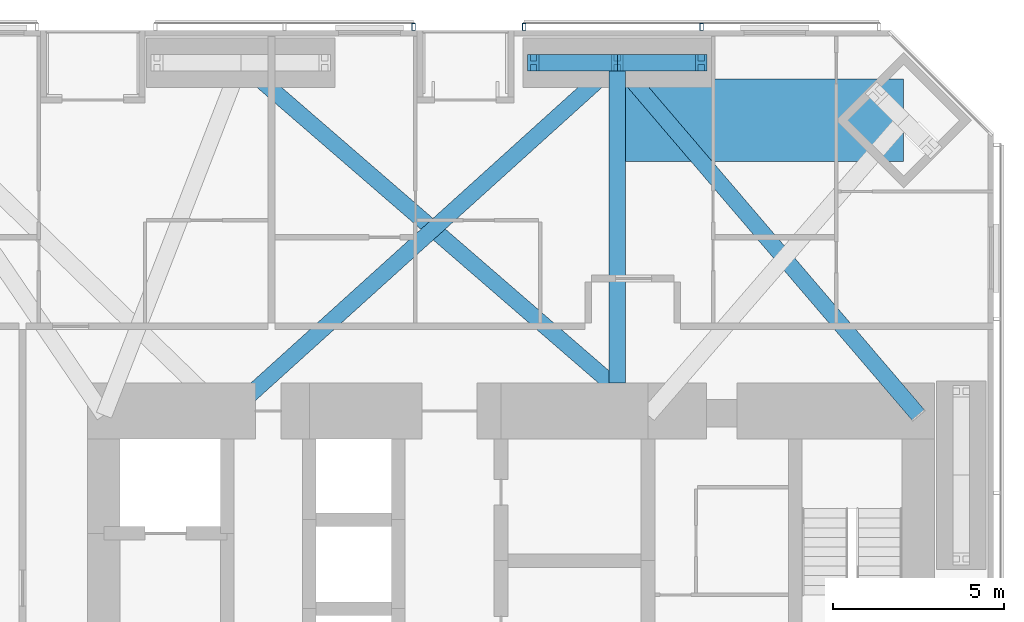
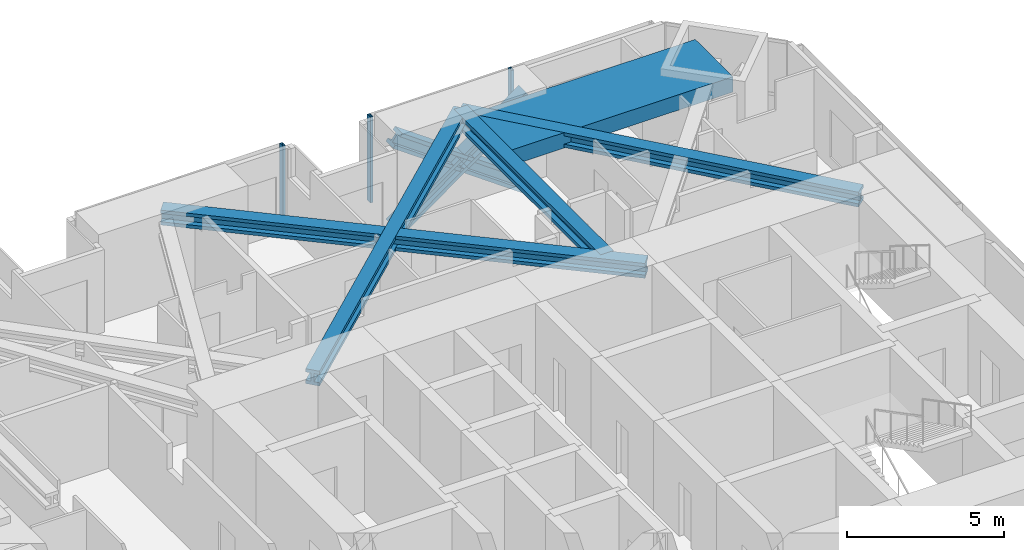
# One storey, part 12 of 22: 10 members, 2 beams, 2 elements without a shape of their own.
"""IFC4 building model written with IfcOpenShell, lengths in metres."""

from ifc_helpers import new_model, si_unit, direction, frame, origin, origin_2d, place, context, subcontext, project, spatial, rectangle, hollow_rectangle, i_section, extrude, material, material_profile, profile_set, type_object, element, aggregate, save


model = new_model("IFC4")

# Units and contexts
model_context = context("Model", 3, precision=1e-05, world=origin(), true_north=direction((0.0, 1.0)))
body_context = subcontext(model_context, "Body", "Model", "MODEL_VIEW")
ifc_project = project(units=[si_unit("LENGTHUNIT", "METRE"), si_unit("AREAUNIT", "SQUARE_METRE"), si_unit("VOLUMEUNIT", "CUBIC_METRE"), si_unit("PLANEANGLEUNIT", "RADIAN"), si_unit("MASSUNIT", "GRAM", prefix="KILO")], contexts=[model_context])

# Site, building, storey
site_placement = place(None, origin())
site = spatial("IfcSite", under=ifc_project, at=site_placement, CompositionType="ELEMENT")
building_placement = place(site_placement, origin())
building = spatial("IfcBuilding", under=site, at=building_placement, Name="Jalousie Tower", CompositionType="ELEMENT")
storey_placement = place(building_placement, frame((0.0, 0.0, 71.25)))
storey = spatial("IfcBuildingStorey", under=building, at=storey_placement, Name="L19", CompositionType="ELEMENT", Elevation=71.25)

# Members
ifc_material_1 = material(Name="Steel ASTM A992 Grade 50", Category="steel")
ifc_material_profile_1 = material_profile(ifc_material_1, i_section(OverallWidth=0.472412109375, OverallDepth=0.5791015625, WebThickness=0.094970703125, FlangeThickness=0.1298828125, at=origin_2d()), Name="W14X808")
ifc_profile_set_1 = profile_set([ifc_material_profile_1], Name="Steel ASTM A992 Grade 50")
member_type_1 = type_object("IfcMemberType", Name="KINK FLOOR TRUSS DIAGONAL W14X808", PredefinedType="BRACE", material=ifc_profile_set_1)
member_1_placement = place(storey_placement, frame((35.0, 37.050048828125, 2.930419921875), z_axis=(-0.74199375759, -0.670406789716, 0.0), x_axis=(0.670406789716, -0.74199375759, 0.0)))
element("IfcMember", 1, at=member_1_placement, inside=storey, type_object=member_type_1, Name="Kink floor truss L20 09 diagonal", PredefinedType="BRACE", context=body_context, shape_type="SweptSolid", body=[
    extrude(i_section(OverallWidth=0.472412109375, OverallDepth=0.5791015625, WebThickness=0.094970703125, FlangeThickness=0.1298828125, at=origin_2d()), origin(), (0.0, 0.0, 1.0), 15.36376953125),
])
member_2_placement = place(storey_placement, frame((35.0, 37.050048828125, 2.930419921875), z_axis=(0.649575060893, -0.760297468276, 0.0), x_axis=(0.760297468276, 0.649575060893, 0.0)))
element("IfcMember", 2, at=member_2_placement, inside=storey, type_object=member_type_1, Name="Kink floor truss L20 09 diagonal", PredefinedType="BRACE", context=body_context, shape_type="SweptSolid", body=[
    extrude(i_section(OverallWidth=0.472412109375, OverallDepth=0.5791015625, WebThickness=0.094970703125, FlangeThickness=0.1298828125, at=origin_2d()), origin(), (0.0, 0.0, 1.0), 13.54736328125),
])
member_3_placement = place(storey_placement, frame((24.0, 37.050048828125, 2.930419921875), z_axis=(0.756104024755, -0.654451452554, 0.0), x_axis=(0.654451452554, 0.756104024755, 0.0)))
element("IfcMember", 3, at=member_3_placement, inside=storey, type_object=member_type_1, Name="Kink floor truss L20 10 diagonal", PredefinedType="BRACE", context=body_context, shape_type="SweptSolid", body=[
    extrude(i_section(OverallWidth=0.472412109375, OverallDepth=0.5791015625, WebThickness=0.094970703125, FlangeThickness=0.1298828125, at=origin_2d()), origin(), (0.0, 0.0, 1.0), 15.738525390625),
])

# Beam
ifc_material_2 = material(Name="Steel ASTM A992 Grade 50", Category="steel")
ifc_material_profile_2 = material_profile(ifc_material_2, i_section(OverallWidth=0.4775390625, OverallDepth=0.599365234375, WebThickness=0.10009765625, FlangeThickness=0.139892578125, at=origin_2d()), Name="W14X873")
ifc_profile_set_2 = profile_set([ifc_material_profile_2], Name="Steel ASTM A992 Grade 50")
beam_type_1 = type_object("IfcBeamType", Name="KINK TIE W14X873", PredefinedType="BEAM", material=ifc_profile_set_2)
beam_1_placement = place(storey_placement, frame((35.0, 37.050048828125, 2.92041015625), z_axis=(0.0, -1.0, 0.0), x_axis=(1.0, 0.0, 0.0)))
element("IfcBeam", 4, at=beam_1_placement, inside=storey, type_object=beam_type_1, Name="Kink tie under L20", PredefinedType="BEAM", context=body_context, shape_type="SweptSolid", body=[
    extrude(i_section(OverallWidth=0.4775390625, OverallDepth=0.599365234375, WebThickness=0.10009765625, FlangeThickness=0.139892578125, at=origin_2d()), origin(), (0.0, 0.0, 1.0), 9.35009765625),
])

# Members
ifc_material_3 = material(Name="Steel ASTM A992 Grade 50", Category="steel")
ifc_material_profile_3 = material_profile(ifc_material_3, i_section(OverallWidth=0.472412109375, OverallDepth=0.5791015625, WebThickness=0.094970703125, FlangeThickness=0.1298828125, at=origin_2d()), Name="W14X808")
ifc_profile_set_3 = profile_set([ifc_material_profile_3], Name="Steel ASTM A992 Grade 50")
member_type_2 = type_object("IfcMemberType", Name="PERIMETER BRACE W14X808", PredefinedType="BRACE", material=ifc_profile_set_3)
for number, where, z_axis, x_axis, name in (
    (5, (32.550048828125, 37.050048828125, -0.60009765625), (0.813727992185, 0.0, 0.581245864273), (0.0, 1.0, 0.0), "Perimeter brace 09 L19 part 1"),
    (6, (35.0, 37.050048828125, 1.14990234375), (0.813727992185, 0.0, 0.581245864273), (0.0, 1.0, 0.0), "Perimeter brace 09 L19 part 2"),
    (7, (37.449951171875, 37.050048828125, -0.60009765625), (-0.813727992185, 0.0, 0.581245864273), (0.0, -1.0, 0.0), "Perimeter brace 09 L19 part 3"),
    (8, (35.0, 37.050048828125, 1.14990234375), (-0.813727992185, 0.0, 0.581245864273), (0.0, -1.0, 0.0), "Perimeter brace 09 L19 part 4"),
):
    element("IfcMember", number, at=place(storey_placement, frame(where, z_axis=z_axis, x_axis=x_axis)), inside=storey, type_object=member_type_2, Name=name, PredefinedType="BRACE", context=body_context, shape_type="SweptSolid", body=[
        extrude(i_section(OverallWidth=0.472412109375, OverallDepth=0.5791015625, WebThickness=0.094970703125, FlangeThickness=0.1298828125, at=origin_2d()), origin(), (0.0, 0.0, 1.0), 3.0107421875),
    ])

# Beam
ifc_material_4 = material(Name="Concrete f'c 40 MPa", Category="concrete")
ifc_material_profile_4 = material_profile(ifc_material_4, rectangle(XDim=2.39990234375, YDim=0.60009765625, at=origin_2d()), Name="RC 2400x600")
ifc_profile_set_4 = profile_set([ifc_material_profile_4], Name="Concrete f'c 40 MPa")
beam_type_2 = type_object("IfcBeamType", Name="RC BEAM 2400x600", PredefinedType="BEAM", material=ifc_profile_set_4)
beam_2_placement = place(storey_placement, frame((43.36865234375, 35.36865234375, 2.919921875), z_axis=(-1.0, 0.0, 0.0), x_axis=(0.0, -1.0, 0.0)))
element("IfcBeam", 9, at=beam_2_placement, inside=storey, type_object=beam_type_2, Name="Floor band beam under L20", PredefinedType="BEAM", context=body_context, shape_type="SweptSolid", body=[
    extrude(rectangle(XDim=2.39990234375, YDim=0.60009765625, at=origin_2d()), origin(), (0.0, 0.0, 1.0), 8.36865234375),
])

# Curtain wall, members
ifc_material_5 = material(Name="Perforated aluminium sheet", Category="aluminium")
curtain_wall_type = type_object("IfcCurtainWallType", Name="SOLAR SCREEN SS-2", PredefinedType="USERDEFINED", material=ifc_material_5)
curtain_wall_1_placement = place(storey_placement, origin())
curtain_wall_1 = element("IfcCurtainWall", 10, at=curtain_wall_1_placement, inside=storey, type_object=curtain_wall_type, Name="Solar screen L19", ObjectType="SOLAR SCREEN SS-2", PredefinedType="USERDEFINED")
ifc_material_6 = material(Name="Steel ASTM A500 Grade C", Category="steel")
ifc_material_profile_5 = material_profile(ifc_material_6, hollow_rectangle(XDim=0.1015625, YDim=0.203125, WallThickness=0.0078125, at=origin_2d()), Name="HSS8X4X5/16")
ifc_profile_set_5 = profile_set([ifc_material_profile_5], Name="Steel ASTM A500 Grade C")
member_type_3 = type_object("IfcMemberType", Name="SOLAR SCREEN SS-2 MULLION", PredefinedType="MULLION", material=ifc_profile_set_5)
member_4_placement = place(storey_placement, frame((37.4619140625, 38.0966796875, -0.1201171875), z_axis=(0.0, 0.0, 1.0), x_axis=(-1.0, 0.0, 0.0)))
member_4 = element("IfcMember", 11, at=member_4_placement, type_object=member_type_3, Name="SS2 post 2", PredefinedType="MULLION", context=body_context, shape_type="SweptSolid", body=[
    extrude(hollow_rectangle(XDim=0.1015625, YDim=0.203125, WallThickness=0.0078125, at=origin_2d()), origin(), (0.0, 0.0, 1.0), 3.340087890625),
])
member_5_placement = place(storey_placement, frame((32.27490234375, 38.0966796875, -0.1201171875), z_axis=(0.0, 0.0, 1.0), x_axis=(-1.0, 0.0, 0.0)))
member_5 = element("IfcMember", 12, at=member_5_placement, type_object=member_type_3, Name="SS2 post 3", PredefinedType="MULLION", context=body_context, shape_type="SweptSolid", body=[
    extrude(hollow_rectangle(XDim=0.1015625, YDim=0.203125, WallThickness=0.0078125, at=origin_2d()), origin(), (0.0, 0.0, 1.0), 3.340087890625),
])
aggregate(curtain_wall_1, [member_4, member_5])

# Curtain wall, member
curtain_wall_2_placement = place(storey_placement, origin())
curtain_wall_2 = element("IfcCurtainWall", 13, at=curtain_wall_2_placement, inside=storey, type_object=curtain_wall_type, Name="Solar screen L19", ObjectType="SOLAR SCREEN SS-2", PredefinedType="USERDEFINED")
member_6_placement = place(storey_placement, frame((29.050048828125, 38.0966796875, -0.1201171875), z_axis=(0.0, 0.0, 1.0), x_axis=(-1.0, 0.0, 0.0)))
member_6 = element("IfcMember", 14, at=member_6_placement, type_object=member_type_3, Name="SS2 post 1", PredefinedType="MULLION", context=body_context, shape_type="SweptSolid", body=[
    extrude(hollow_rectangle(XDim=0.1015625, YDim=0.203125, WallThickness=0.0078125, at=origin_2d()), origin(), (0.0, 0.0, 1.0), 3.340087890625),
])
aggregate(curtain_wall_2, [member_6])

save(model, "model.ifc")
